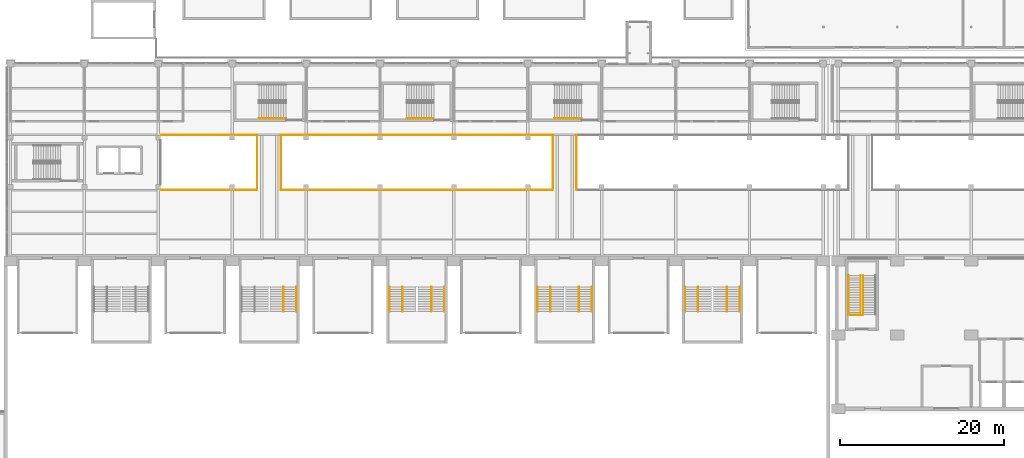
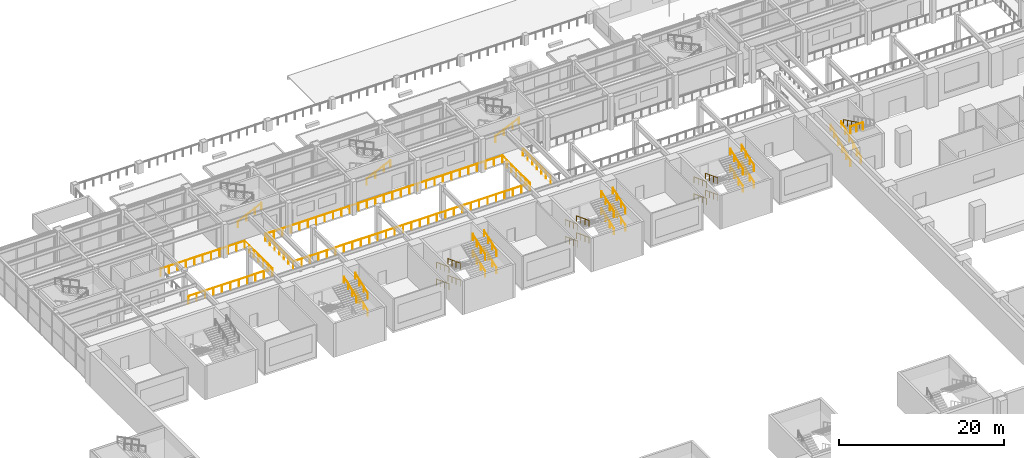
# One storey, part 57 of 67: 42 railings.
"""IFC4 building model written with IfcOpenShell, lengths in metres."""

from ifc_helpers import new_model, si_unit, direction, frame, origin, origin_2d, place, context, subcontext, project, spatial, circle, extrude, material, type_object, element, save


model = new_model("IFC4")

# Units and contexts
model_context = context("Model", 3, precision=1e-05, world=origin(), true_north=direction((0.0, 1.0)))
body_context = subcontext(model_context, "Body", "Model", "MODEL_VIEW")
ifc_project = project(units=[si_unit("LENGTHUNIT", "METRE"), si_unit("AREAUNIT", "SQUARE_METRE"), si_unit("VOLUMEUNIT", "CUBIC_METRE"), si_unit("PLANEANGLEUNIT", "RADIAN"), si_unit("MASSUNIT", "GRAM", prefix="KILO")], contexts=[model_context])

# Site, building, storey
site_placement = place(None, origin())
site = spatial("IfcSite", under=ifc_project, at=site_placement, CompositionType="ELEMENT")
building_placement = place(site_placement, origin())
building = spatial("IfcBuilding", under=site, at=building_placement, Name="Aravalli Gate Trade Fair Centre", CompositionType="ELEMENT")
storey_placement = place(building_placement, frame((0.0, 0.0, 5.0)))
storey = spatial("IfcBuildingStorey", under=building, at=storey_placement, Name="L01", CompositionType="ELEMENT", Elevation=5.0)

# Railings
ifc_material = material(Name="Steel E350", Category="steel")
railing_type_1 = type_object("IfcRailingType", Name="Concourse guard 1100", PredefinedType="GUARDRAIL", material=ifc_material)
railing_1_placement = place(storey_placement, frame((24.300048828125, 117.64990234375, 0.0)))
element("IfcRailing", 1, at=railing_1_placement, inside=storey, type_object=railing_type_1, Name="Atrium guard S1 L01", PredefinedType="GUARDRAIL", context=body_context, shape_type="SweptSolid", body=[
    extrude(circle(Radius=0.02392578125, at=origin_2d()), frame((0.0, 0.0, 1.076171875), z_axis=(1.0, 0.0, 0.0), x_axis=(0.0, 1.0, 0.0)), (0.0, 0.0, 1.0), 11.75),
    extrude(circle(Radius=0.02099609375, at=origin_2d()), origin(), (0.0, 0.0, 1.0), 1.052001953125),
    extrude(circle(Radius=0.02099609375, at=origin_2d()), frame((1.175048828125, 0.0, 0.0)), (0.0, 0.0, 1.0), 1.052001953125),
    extrude(circle(Radius=0.02099609375, at=origin_2d()), frame((2.35009765625, 0.0, 0.0)), (0.0, 0.0, 1.0), 1.052001953125),
    extrude(circle(Radius=0.02099609375, at=origin_2d()), frame((3.52490234375, 0.0, 0.0)), (0.0, 0.0, 1.0), 1.052001953125),
    extrude(circle(Radius=0.02099609375, at=origin_2d()), frame((4.699951171875, 0.0, 0.0)), (0.0, 0.0, 1.0), 1.052001953125),
    extrude(circle(Radius=0.02099609375, at=origin_2d()), frame((5.875, 0.0, 0.0)), (0.0, 0.0, 1.0), 1.052001953125),
    extrude(circle(Radius=0.02099609375, at=origin_2d()), frame((7.050048828125, 0.0, 0.0)), (0.0, 0.0, 1.0), 1.052001953125),
    extrude(circle(Radius=0.02099609375, at=origin_2d()), frame((8.22509765625, 0.0, 0.0)), (0.0, 0.0, 1.0), 1.052001953125),
    extrude(circle(Radius=0.02099609375, at=origin_2d()), frame((9.39990234375, 0.0, 0.0)), (0.0, 0.0, 1.0), 1.052001953125),
    extrude(circle(Radius=0.02099609375, at=origin_2d()), frame((10.574951171875, 0.0, 0.0)), (0.0, 0.0, 1.0), 1.052001953125),
    extrude(circle(Radius=0.02099609375, at=origin_2d()), frame((11.75, 0.0, 0.0)), (0.0, 0.0, 1.0), 1.052001953125),
])
railing_2_placement = place(storey_placement, frame((38.949951171875, 117.64990234375, 0.0)))
element("IfcRailing", 2, at=railing_2_placement, inside=storey, type_object=railing_type_1, Name="Atrium guard S2 L01", PredefinedType="GUARDRAIL", context=body_context, shape_type="SweptSolid", body=[
    extrude(circle(Radius=0.02392578125, at=origin_2d()), frame((0.0, 0.0, 1.076171875), z_axis=(1.0, 0.0, 0.0), x_axis=(0.0, 1.0, 0.0)), (0.0, 0.0, 1.0), 33.10009765625),
    extrude(circle(Radius=0.02099609375, at=origin_2d()), origin(), (0.0, 0.0, 1.0), 1.052001953125),
    extrude(circle(Radius=0.02099609375, at=origin_2d()), frame((1.18212890625, 0.0, 0.0)), (0.0, 0.0, 1.0), 1.052001953125),
    extrude(circle(Radius=0.02099609375, at=origin_2d()), frame((2.3642578125, 0.0, 0.0)), (0.0, 0.0, 1.0), 1.052001953125),
    extrude(circle(Radius=0.02099609375, at=origin_2d()), frame((3.54638671875, 0.0, 0.0)), (0.0, 0.0, 1.0), 1.052001953125),
    extrude(circle(Radius=0.02099609375, at=origin_2d()), frame((4.728515625, 0.0, 0.0)), (0.0, 0.0, 1.0), 1.052001953125),
    extrude(circle(Radius=0.02099609375, at=origin_2d()), frame((5.91064453125, 0.0, 0.0)), (0.0, 0.0, 1.0), 1.052001953125),
    extrude(circle(Radius=0.02099609375, at=origin_2d()), frame((7.0927734375, 0.0, 0.0)), (0.0, 0.0, 1.0), 1.052001953125),
    extrude(circle(Radius=0.02099609375, at=origin_2d()), frame((8.27490234375, 0.0, 0.0)), (0.0, 0.0, 1.0), 1.052001953125),
    extrude(circle(Radius=0.02099609375, at=origin_2d()), frame((9.457275390625, 0.0, 0.0)), (0.0, 0.0, 1.0), 1.052001953125),
    extrude(circle(Radius=0.02099609375, at=origin_2d()), frame((10.639404296875, 0.0, 0.0)), (0.0, 0.0, 1.0), 1.052001953125),
    extrude(circle(Radius=0.02099609375, at=origin_2d()), frame((11.821533203125, 0.0, 0.0)), (0.0, 0.0, 1.0), 1.052001953125),
    extrude(circle(Radius=0.02099609375, at=origin_2d()), frame((13.003662109375, 0.0, 0.0)), (0.0, 0.0, 1.0), 1.052001953125),
    extrude(circle(Radius=0.02099609375, at=origin_2d()), frame((14.185791015625, 0.0, 0.0)), (0.0, 0.0, 1.0), 1.052001953125),
    extrude(circle(Radius=0.02099609375, at=origin_2d()), frame((15.367919921875, 0.0, 0.0)), (0.0, 0.0, 1.0), 1.052001953125),
    extrude(circle(Radius=0.02099609375, at=origin_2d()), frame((16.550048828125, 0.0, 0.0)), (0.0, 0.0, 1.0), 1.052001953125),
    extrude(circle(Radius=0.02099609375, at=origin_2d()), frame((17.732177734375, 0.0, 0.0)), (0.0, 0.0, 1.0), 1.052001953125),
    extrude(circle(Radius=0.02099609375, at=origin_2d()), frame((18.914306640625, 0.0, 0.0)), (0.0, 0.0, 1.0), 1.052001953125),
    extrude(circle(Radius=0.02099609375, at=origin_2d()), frame((20.096435546875, 0.0, 0.0)), (0.0, 0.0, 1.0), 1.052001953125),
    extrude(circle(Radius=0.02099609375, at=origin_2d()), frame((21.278564453125, 0.0, 0.0)), (0.0, 0.0, 1.0), 1.052001953125),
    extrude(circle(Radius=0.02099609375, at=origin_2d()), frame((22.460693359375, 0.0, 0.0)), (0.0, 0.0, 1.0), 1.052001953125),
    extrude(circle(Radius=0.02099609375, at=origin_2d()), frame((23.642822265625, 0.0, 0.0)), (0.0, 0.0, 1.0), 1.052001953125),
    extrude(circle(Radius=0.02099609375, at=origin_2d()), frame((24.8251953125, 0.0, 0.0)), (0.0, 0.0, 1.0), 1.052001953125),
    extrude(circle(Radius=0.02099609375, at=origin_2d()), frame((26.00732421875, 0.0, 0.0)), (0.0, 0.0, 1.0), 1.052001953125),
    extrude(circle(Radius=0.02099609375, at=origin_2d()), frame((27.189453125, 0.0, 0.0)), (0.0, 0.0, 1.0), 1.052001953125),
    extrude(circle(Radius=0.02099609375, at=origin_2d()), frame((28.37158203125, 0.0, 0.0)), (0.0, 0.0, 1.0), 1.052001953125),
    extrude(circle(Radius=0.02099609375, at=origin_2d()), frame((29.5537109375, 0.0, 0.0)), (0.0, 0.0, 1.0), 1.052001953125),
    extrude(circle(Radius=0.02099609375, at=origin_2d()), frame((30.73583984375, 0.0, 0.0)), (0.0, 0.0, 1.0), 1.052001953125),
    extrude(circle(Radius=0.02099609375, at=origin_2d()), frame((31.91796875, 0.0, 0.0)), (0.0, 0.0, 1.0), 1.052001953125),
    extrude(circle(Radius=0.02099609375, at=origin_2d()), frame((33.10009765625, 0.0, 0.0)), (0.0, 0.0, 1.0), 1.052001953125),
])
railing_3_placement = place(storey_placement, frame((24.300048828125, 124.35009765625, 0.0)))
element("IfcRailing", 3, at=railing_3_placement, inside=storey, type_object=railing_type_1, Name="Atrium guard N1 L01", PredefinedType="GUARDRAIL", context=body_context, shape_type="SweptSolid", body=[
    extrude(circle(Radius=0.02392578125, at=origin_2d()), frame((0.0, 0.0, 1.076171875), z_axis=(1.0, 0.0, 0.0), x_axis=(0.0, 1.0, 0.0)), (0.0, 0.0, 1.0), 11.75),
    extrude(circle(Radius=0.02099609375, at=origin_2d()), origin(), (0.0, 0.0, 1.0), 1.052001953125),
    extrude(circle(Radius=0.02099609375, at=origin_2d()), frame((1.175048828125, 0.0, 0.0)), (0.0, 0.0, 1.0), 1.052001953125),
    extrude(circle(Radius=0.02099609375, at=origin_2d()), frame((2.35009765625, 0.0, 0.0)), (0.0, 0.0, 1.0), 1.052001953125),
    extrude(circle(Radius=0.02099609375, at=origin_2d()), frame((3.52490234375, 0.0, 0.0)), (0.0, 0.0, 1.0), 1.052001953125),
    extrude(circle(Radius=0.02099609375, at=origin_2d()), frame((4.699951171875, 0.0, 0.0)), (0.0, 0.0, 1.0), 1.052001953125),
    extrude(circle(Radius=0.02099609375, at=origin_2d()), frame((5.875, 0.0, 0.0)), (0.0, 0.0, 1.0), 1.052001953125),
    extrude(circle(Radius=0.02099609375, at=origin_2d()), frame((7.050048828125, 0.0, 0.0)), (0.0, 0.0, 1.0), 1.052001953125),
    extrude(circle(Radius=0.02099609375, at=origin_2d()), frame((8.22509765625, 0.0, 0.0)), (0.0, 0.0, 1.0), 1.052001953125),
    extrude(circle(Radius=0.02099609375, at=origin_2d()), frame((9.39990234375, 0.0, 0.0)), (0.0, 0.0, 1.0), 1.052001953125),
    extrude(circle(Radius=0.02099609375, at=origin_2d()), frame((10.574951171875, 0.0, 0.0)), (0.0, 0.0, 1.0), 1.052001953125),
    extrude(circle(Radius=0.02099609375, at=origin_2d()), frame((11.75, 0.0, 0.0)), (0.0, 0.0, 1.0), 1.052001953125),
])
railing_4_placement = place(storey_placement, frame((38.949951171875, 124.35009765625, 0.0)))
element("IfcRailing", 4, at=railing_4_placement, inside=storey, type_object=railing_type_1, Name="Atrium guard N2 L01", PredefinedType="GUARDRAIL", context=body_context, shape_type="SweptSolid", body=[
    extrude(circle(Radius=0.02392578125, at=origin_2d()), frame((0.0, 0.0, 1.076171875), z_axis=(1.0, 0.0, 0.0), x_axis=(0.0, 1.0, 0.0)), (0.0, 0.0, 1.0), 33.10009765625),
    extrude(circle(Radius=0.02099609375, at=origin_2d()), origin(), (0.0, 0.0, 1.0), 1.052001953125),
    extrude(circle(Radius=0.02099609375, at=origin_2d()), frame((1.18212890625, 0.0, 0.0)), (0.0, 0.0, 1.0), 1.052001953125),
    extrude(circle(Radius=0.02099609375, at=origin_2d()), frame((2.3642578125, 0.0, 0.0)), (0.0, 0.0, 1.0), 1.052001953125),
    extrude(circle(Radius=0.02099609375, at=origin_2d()), frame((3.54638671875, 0.0, 0.0)), (0.0, 0.0, 1.0), 1.052001953125),
    extrude(circle(Radius=0.02099609375, at=origin_2d()), frame((4.728515625, 0.0, 0.0)), (0.0, 0.0, 1.0), 1.052001953125),
    extrude(circle(Radius=0.02099609375, at=origin_2d()), frame((5.91064453125, 0.0, 0.0)), (0.0, 0.0, 1.0), 1.052001953125),
    extrude(circle(Radius=0.02099609375, at=origin_2d()), frame((7.0927734375, 0.0, 0.0)), (0.0, 0.0, 1.0), 1.052001953125),
    extrude(circle(Radius=0.02099609375, at=origin_2d()), frame((8.27490234375, 0.0, 0.0)), (0.0, 0.0, 1.0), 1.052001953125),
    extrude(circle(Radius=0.02099609375, at=origin_2d()), frame((9.457275390625, 0.0, 0.0)), (0.0, 0.0, 1.0), 1.052001953125),
    extrude(circle(Radius=0.02099609375, at=origin_2d()), frame((10.639404296875, 0.0, 0.0)), (0.0, 0.0, 1.0), 1.052001953125),
    extrude(circle(Radius=0.02099609375, at=origin_2d()), frame((11.821533203125, 0.0, 0.0)), (0.0, 0.0, 1.0), 1.052001953125),
    extrude(circle(Radius=0.02099609375, at=origin_2d()), frame((13.003662109375, 0.0, 0.0)), (0.0, 0.0, 1.0), 1.052001953125),
    extrude(circle(Radius=0.02099609375, at=origin_2d()), frame((14.185791015625, 0.0, 0.0)), (0.0, 0.0, 1.0), 1.052001953125),
    extrude(circle(Radius=0.02099609375, at=origin_2d()), frame((15.367919921875, 0.0, 0.0)), (0.0, 0.0, 1.0), 1.052001953125),
    extrude(circle(Radius=0.02099609375, at=origin_2d()), frame((16.550048828125, 0.0, 0.0)), (0.0, 0.0, 1.0), 1.052001953125),
    extrude(circle(Radius=0.02099609375, at=origin_2d()), frame((17.732177734375, 0.0, 0.0)), (0.0, 0.0, 1.0), 1.052001953125),
    extrude(circle(Radius=0.02099609375, at=origin_2d()), frame((18.914306640625, 0.0, 0.0)), (0.0, 0.0, 1.0), 1.052001953125),
    extrude(circle(Radius=0.02099609375, at=origin_2d()), frame((20.096435546875, 0.0, 0.0)), (0.0, 0.0, 1.0), 1.052001953125),
    extrude(circle(Radius=0.02099609375, at=origin_2d()), frame((21.278564453125, 0.0, 0.0)), (0.0, 0.0, 1.0), 1.052001953125),
    extrude(circle(Radius=0.02099609375, at=origin_2d()), frame((22.460693359375, 0.0, 0.0)), (0.0, 0.0, 1.0), 1.052001953125),
    extrude(circle(Radius=0.02099609375, at=origin_2d()), frame((23.642822265625, 0.0, 0.0)), (0.0, 0.0, 1.0), 1.052001953125),
    extrude(circle(Radius=0.02099609375, at=origin_2d()), frame((24.8251953125, 0.0, 0.0)), (0.0, 0.0, 1.0), 1.052001953125),
    extrude(circle(Radius=0.02099609375, at=origin_2d()), frame((26.00732421875, 0.0, 0.0)), (0.0, 0.0, 1.0), 1.052001953125),
    extrude(circle(Radius=0.02099609375, at=origin_2d()), frame((27.189453125, 0.0, 0.0)), (0.0, 0.0, 1.0), 1.052001953125),
    extrude(circle(Radius=0.02099609375, at=origin_2d()), frame((28.37158203125, 0.0, 0.0)), (0.0, 0.0, 1.0), 1.052001953125),
    extrude(circle(Radius=0.02099609375, at=origin_2d()), frame((29.5537109375, 0.0, 0.0)), (0.0, 0.0, 1.0), 1.052001953125),
    extrude(circle(Radius=0.02099609375, at=origin_2d()), frame((30.73583984375, 0.0, 0.0)), (0.0, 0.0, 1.0), 1.052001953125),
    extrude(circle(Radius=0.02099609375, at=origin_2d()), frame((31.91796875, 0.0, 0.0)), (0.0, 0.0, 1.0), 1.052001953125),
    extrude(circle(Radius=0.02099609375, at=origin_2d()), frame((33.10009765625, 0.0, 0.0)), (0.0, 0.0, 1.0), 1.052001953125),
])
for number, where, name in (
    (5, (36.050048828125, 117.64990234375, 0.0), "Atrium guard BA1 L01"),
    (6, (38.949951171875, 117.64990234375, 0.0), "Atrium guard BB1 L01"),
    (7, (72.050048828125, 117.64990234375, 0.0), "Atrium guard BA2 L01"),
    (8, (74.949951171875, 117.64990234375, 0.0), "Atrium guard BB2 L01"),
):
    element("IfcRailing", number, at=place(storey_placement, frame(where)), inside=storey, type_object=railing_type_1, Name=name, PredefinedType="GUARDRAIL", context=body_context, shape_type="SweptSolid", body=[
        extrude(circle(Radius=0.02392578125, at=origin_2d()), frame((0.0, 0.0, 1.076171875), z_axis=(0.0, 1.0, 0.0), x_axis=(-1.0, 0.0, 0.0)), (0.0, 0.0, 1.0), 6.7001953125),
        extrude(circle(Radius=0.02099609375, at=origin_2d()), origin(), (0.0, 0.0, 1.0), 1.052001953125),
        extrude(circle(Radius=0.02099609375, at=origin_2d()), frame((0.0, 1.11669921875, 0.0)), (0.0, 0.0, 1.0), 1.052001953125),
        extrude(circle(Radius=0.02099609375, at=origin_2d()), frame((0.0, 2.2333984375, 0.0)), (0.0, 0.0, 1.0), 1.052001953125),
        extrude(circle(Radius=0.02099609375, at=origin_2d()), frame((0.0, 3.35009765625, 0.0)), (0.0, 0.0, 1.0), 1.052001953125),
        extrude(circle(Radius=0.02099609375, at=origin_2d()), frame((0.0, 4.466796875, 0.0)), (0.0, 0.0, 1.0), 1.052001953125),
        extrude(circle(Radius=0.02099609375, at=origin_2d()), frame((0.0, 5.58349609375, 0.0)), (0.0, 0.0, 1.0), 1.052001953125),
        extrude(circle(Radius=0.02099609375, at=origin_2d()), frame((0.0, 6.7001953125, 0.0)), (0.0, 0.0, 1.0), 1.052001953125),
    ])
railing_type_2 = type_object("IfcRailingType", Name="Concourse stair handrail 900", PredefinedType="HANDRAIL", material=ifc_material)
for number, where, name in (
    (9, (36.25, 126.35009765625, 1.8056640625), "Handrail XA L01 flight 2o"),
    (10, (54.25, 126.35009765625, 1.8056640625), "Handrail XB L01 flight 2o"),
    (11, (72.25, 126.35009765625, 1.8056640625), "Handrail XC L01 flight 2o"),
):
    element("IfcRailing", number, at=place(storey_placement, frame(where)), inside=storey, type_object=railing_type_2, Name=name, PredefinedType="HANDRAIL", context=body_context, shape_type="SweptSolid", body=[
        extrude(circle(Radius=0.02392578125, at=origin_2d()), frame((0.0, 0.0, 0.8759765625), z_axis=(0.907499493834, 0.0, 0.420053173647), x_axis=(0.0, 1.0, 0.0)), (0.0, 0.0, 1.0), 1.322265625),
        extrude(circle(Radius=0.02392578125, at=origin_2d()), frame((1.199951171875, 0.0, 1.43115234375), z_axis=(0.907429102623, 0.0, 0.420205216189), x_axis=(0.0, 1.0, 0.0)), (0.0, 0.0, 1.0), 1.322265625),
        extrude(circle(Radius=0.02392578125, at=origin_2d()), frame((2.39990234375, 0.0, 1.98681640625), z_axis=(0.907555517655, 0.0, 0.419932116387), x_axis=(0.0, 1.0, 0.0)), (0.0, 0.0, 1.0), 0.991943359375),
        extrude(circle(Radius=0.02099609375, at=origin_2d()), origin(), (0.0, 0.0, 1.0), 0.851806640625),
        extrude(circle(Radius=0.02099609375, at=origin_2d()), frame((1.199951171875, 0.0, 0.555419921875)), (0.0, 0.0, 1.0), 0.851806640625),
        extrude(circle(Radius=0.02099609375, at=origin_2d()), frame((2.39990234375, 0.0, 1.111083984375)), (0.0, 0.0, 1.0), 0.851806640625),
        extrude(circle(Radius=0.02099609375, at=origin_2d()), frame((3.300048828125, 0.0, 1.527587890625)), (0.0, 0.0, 1.0), 0.851806640625),
    ])
railing_type_3 = type_object("IfcRailingType", Name="Congress stair guard 1100", PredefinedType="GUARDRAIL", material=ifc_material)
railing_5_placement = place(storey_placement, frame((108.030029296875, 102.39990234375, 5.0)))
element("IfcRailing", 12, at=railing_5_placement, inside=storey, type_object=railing_type_3, Name="Guard GS3 head", PredefinedType="GUARDRAIL", context=body_context, shape_type="SweptSolid", body=[
    extrude(circle(Radius=0.02392578125, at=origin_2d()), frame((0.0, 0.0, 1.076171875), z_axis=(1.0, 0.0, 0.0), x_axis=(0.0, 1.0, 0.0)), (0.0, 0.0, 1.0), 1.739990234375),
    extrude(circle(Radius=0.02099609375, at=origin_2d()), origin(), (0.0, 0.0, 1.0), 1.052001953125),
    extrude(circle(Radius=0.02099609375, at=origin_2d()), frame((0.8701171875, 0.0, 0.0)), (0.0, 0.0, 1.0), 1.052001953125),
    extrude(circle(Radius=0.02099609375, at=origin_2d()), frame((1.739990234375, 0.0, 0.0)), (0.0, 0.0, 1.0), 1.052001953125),
])
railing_type_4 = type_object("IfcRailingType", Name="Congress stair handrail 900", PredefinedType="HANDRAIL", material=ifc_material)
for number, where, name in (
    (13, (108.070068359375, 102.449951171875, 0.147216796875), "Handrail GS3 L01 1"),
    (14, (109.550048828125, 102.449951171875, 0.147216796875), "Handrail GS3 L01 2"),
):
    element("IfcRailing", number, at=place(storey_placement, frame(where)), inside=storey, type_object=railing_type_4, Name=name, PredefinedType="HANDRAIL", context=body_context, shape_type="SweptSolid", body=[
        extrude(circle(Radius=0.02392578125, at=origin_2d()), frame((0.0, 0.0, 0.8759765625), z_axis=(0.0, 0.89793417156, 0.440129780343), x_axis=(-1.0, 0.0, 0.0)), (0.0, 0.0, 1.0), 5.345703125),
        extrude(circle(Radius=0.02099609375, at=origin_2d()), origin(), (0.0, 0.0, 1.0), 0.851806640625),
        extrude(circle(Radius=0.02099609375, at=origin_2d()), frame((0.0, 0.9599609375, 0.470458984375)), (0.0, 0.0, 1.0), 0.851806640625),
        extrude(circle(Radius=0.02099609375, at=origin_2d()), frame((0.0, 1.919921875, 0.941162109375)), (0.0, 0.0, 1.0), 0.851806640625),
        extrude(circle(Radius=0.02099609375, at=origin_2d()), frame((0.0, 2.880126953125, 1.41162109375)), (0.0, 0.0, 1.0), 0.851806640625),
        extrude(circle(Radius=0.02099609375, at=origin_2d()), frame((0.0, 3.840087890625, 1.88232421875)), (0.0, 0.0, 1.0), 0.851806640625),
        extrude(circle(Radius=0.02099609375, at=origin_2d()), frame((0.0, 4.800048828125, 2.352783203125)), (0.0, 0.0, 1.0), 0.851806640625),
    ])
railing_6_placement = place(storey_placement, frame((109.85009765625, 107.25, 2.647216796875)))
element("IfcRailing", 15, at=railing_6_placement, inside=storey, type_object=railing_type_4, Name="Handrail GS3 L01 4", PredefinedType="HANDRAIL", context=body_context, shape_type="SweptSolid", body=[
    extrude(circle(Radius=0.02392578125, at=origin_2d()), frame((0.0, 0.0, 0.8759765625), z_axis=(0.0, -0.89793417156, 0.440129780343), x_axis=(1.0, 0.0, 0.0)), (0.0, 0.0, 1.0), 5.345703125),
    extrude(circle(Radius=0.02099609375, at=origin_2d()), origin(), (0.0, 0.0, 1.0), 0.851806640625),
    extrude(circle(Radius=0.02099609375, at=origin_2d()), frame((0.0, -0.9599609375, 0.470458984375)), (0.0, 0.0, 1.0), 0.851806640625),
    extrude(circle(Radius=0.02099609375, at=origin_2d()), frame((0.0, -1.919921875, 0.941162109375)), (0.0, 0.0, 1.0), 0.851806640625),
    extrude(circle(Radius=0.02099609375, at=origin_2d()), frame((0.0, -2.880126953125, 1.41162109375)), (0.0, 0.0, 1.0), 0.851806640625),
    extrude(circle(Radius=0.02099609375, at=origin_2d()), frame((0.0, -3.840087890625, 1.88232421875)), (0.0, 0.0, 1.0), 0.851806640625),
    extrude(circle(Radius=0.02099609375, at=origin_2d()), frame((0.0, -4.800048828125, 2.352783203125)), (0.0, 0.0, 1.0), 0.851806640625),
])
railing_type_5 = type_object("IfcRailingType", Name="Stair handrail 900", PredefinedType="HANDRAIL", material=ifc_material)
for number, where, name in (
    (16, (40.830078125, 102.85009765625, 1.363525390625), "Handrail N04 L01 3"),
    (17, (40.830078125, 102.85009765625, 3.863525390625), "Handrail N04 L01 7"),
    (18, (39.25, 102.85009765625, 3.863525390625), "Handrail centre N04 L01 8"),
):
    element("IfcRailing", number, at=place(storey_placement, frame(where)), inside=storey, type_object=railing_type_5, Name=name, PredefinedType="HANDRAIL", context=body_context, shape_type="SweptSolid", body=[
        extrude(circle(Radius=0.02392578125, at=origin_2d()), frame((0.0, 0.0, 0.8759765625), z_axis=(0.0, 0.935147985876, 0.354257313985), x_axis=(-1.0, 0.0, 0.0)), (0.0, 0.0, 1.0), 3.2080078125),
        extrude(circle(Radius=0.02099609375, at=origin_2d()), origin(), (0.0, 0.0, 1.0), 0.851806640625),
        extrude(circle(Radius=0.02099609375, at=origin_2d()), frame((0.0, 1.0, 0.37890625)), (0.0, 0.0, 1.0), 0.851806640625),
        extrude(circle(Radius=0.02099609375, at=origin_2d()), frame((0.0, 2.0, 0.757568359375)), (0.0, 0.0, 1.0), 0.851806640625),
        extrude(circle(Radius=0.02099609375, at=origin_2d()), frame((0.0, 3.0, 1.136474609375)), (0.0, 0.0, 1.0), 0.851806640625),
    ])
for number, where, name in (
    (19, (52.169921875, 105.85009765625, 0.113525390625), "Handrail N06 L01 1"),
    (20, (53.75, 105.85009765625, 0.113525390625), "Handrail centre N06 L01 2"),
):
    element("IfcRailing", number, at=place(storey_placement, frame(where)), inside=storey, type_object=railing_type_5, Name=name, PredefinedType="HANDRAIL", context=body_context, shape_type="SweptSolid", body=[
        extrude(circle(Radius=0.02392578125, at=origin_2d()), frame((0.0, 0.0, 0.8759765625), z_axis=(0.0, -0.935147985876, 0.354257313985), x_axis=(1.0, 0.0, 0.0)), (0.0, 0.0, 1.0), 3.2080078125),
        extrude(circle(Radius=0.02099609375, at=origin_2d()), origin(), (0.0, 0.0, 1.0), 0.851806640625),
        extrude(circle(Radius=0.02099609375, at=origin_2d()), frame((0.0, -1.0, 0.37890625)), (0.0, 0.0, 1.0), 0.851806640625),
        extrude(circle(Radius=0.02099609375, at=origin_2d()), frame((0.0, -2.0, 0.757568359375)), (0.0, 0.0, 1.0), 0.851806640625),
        extrude(circle(Radius=0.02099609375, at=origin_2d()), frame((0.0, -3.0, 1.136474609375)), (0.0, 0.0, 1.0), 0.851806640625),
    ])
for number, where, name in (
    (21, (58.830078125, 102.85009765625, 1.363525390625), "Handrail N06 L01 3"),
    (22, (57.25, 102.85009765625, 1.363525390625), "Handrail centre N06 L01 4"),
):
    element("IfcRailing", number, at=place(storey_placement, frame(where)), inside=storey, type_object=railing_type_5, Name=name, PredefinedType="HANDRAIL", context=body_context, shape_type="SweptSolid", body=[
        extrude(circle(Radius=0.02392578125, at=origin_2d()), frame((0.0, 0.0, 0.8759765625), z_axis=(0.0, 0.935147985876, 0.354257313985), x_axis=(-1.0, 0.0, 0.0)), (0.0, 0.0, 1.0), 3.2080078125),
        extrude(circle(Radius=0.02099609375, at=origin_2d()), origin(), (0.0, 0.0, 1.0), 0.851806640625),
        extrude(circle(Radius=0.02099609375, at=origin_2d()), frame((0.0, 1.0, 0.37890625)), (0.0, 0.0, 1.0), 0.851806640625),
        extrude(circle(Radius=0.02099609375, at=origin_2d()), frame((0.0, 2.0, 0.757568359375)), (0.0, 0.0, 1.0), 0.851806640625),
        extrude(circle(Radius=0.02099609375, at=origin_2d()), frame((0.0, 3.0, 1.136474609375)), (0.0, 0.0, 1.0), 0.851806640625),
    ])
for number, where, name in (
    (23, (52.169921875, 105.85009765625, 2.613525390625), "Handrail N06 L01 5"),
    (24, (53.75, 105.85009765625, 2.613525390625), "Handrail centre N06 L01 6"),
):
    element("IfcRailing", number, at=place(storey_placement, frame(where)), inside=storey, type_object=railing_type_5, Name=name, PredefinedType="HANDRAIL", context=body_context, shape_type="SweptSolid", body=[
        extrude(circle(Radius=0.02392578125, at=origin_2d()), frame((0.0, 0.0, 0.8759765625), z_axis=(0.0, -0.935147985876, 0.354257313985), x_axis=(1.0, 0.0, 0.0)), (0.0, 0.0, 1.0), 3.2080078125),
        extrude(circle(Radius=0.02099609375, at=origin_2d()), origin(), (0.0, 0.0, 1.0), 0.851806640625),
        extrude(circle(Radius=0.02099609375, at=origin_2d()), frame((0.0, -1.0, 0.37890625)), (0.0, 0.0, 1.0), 0.851806640625),
        extrude(circle(Radius=0.02099609375, at=origin_2d()), frame((0.0, -2.0, 0.757568359375)), (0.0, 0.0, 1.0), 0.851806640625),
        extrude(circle(Radius=0.02099609375, at=origin_2d()), frame((0.0, -3.0, 1.136474609375)), (0.0, 0.0, 1.0), 0.851806640625),
    ])
for number, where, name in (
    (25, (58.830078125, 102.85009765625, 3.863525390625), "Handrail N06 L01 7"),
    (26, (57.25, 102.85009765625, 3.863525390625), "Handrail centre N06 L01 8"),
):
    element("IfcRailing", number, at=place(storey_placement, frame(where)), inside=storey, type_object=railing_type_5, Name=name, PredefinedType="HANDRAIL", context=body_context, shape_type="SweptSolid", body=[
        extrude(circle(Radius=0.02392578125, at=origin_2d()), frame((0.0, 0.0, 0.8759765625), z_axis=(0.0, 0.935147985876, 0.354257313985), x_axis=(-1.0, 0.0, 0.0)), (0.0, 0.0, 1.0), 3.2080078125),
        extrude(circle(Radius=0.02099609375, at=origin_2d()), origin(), (0.0, 0.0, 1.0), 0.851806640625),
        extrude(circle(Radius=0.02099609375, at=origin_2d()), frame((0.0, 1.0, 0.37890625)), (0.0, 0.0, 1.0), 0.851806640625),
        extrude(circle(Radius=0.02099609375, at=origin_2d()), frame((0.0, 2.0, 0.757568359375)), (0.0, 0.0, 1.0), 0.851806640625),
        extrude(circle(Radius=0.02099609375, at=origin_2d()), frame((0.0, 3.0, 1.136474609375)), (0.0, 0.0, 1.0), 0.851806640625),
    ])
for number, where, name in (
    (27, (70.169921875, 105.85009765625, 0.113525390625), "Handrail N08 L01 1"),
    (28, (71.75, 105.85009765625, 0.113525390625), "Handrail centre N08 L01 2"),
):
    element("IfcRailing", number, at=place(storey_placement, frame(where)), inside=storey, type_object=railing_type_5, Name=name, PredefinedType="HANDRAIL", context=body_context, shape_type="SweptSolid", body=[
        extrude(circle(Radius=0.02392578125, at=origin_2d()), frame((0.0, 0.0, 0.8759765625), z_axis=(0.0, -0.935147985876, 0.354257313985), x_axis=(1.0, 0.0, 0.0)), (0.0, 0.0, 1.0), 3.2080078125),
        extrude(circle(Radius=0.02099609375, at=origin_2d()), origin(), (0.0, 0.0, 1.0), 0.851806640625),
        extrude(circle(Radius=0.02099609375, at=origin_2d()), frame((0.0, -1.0, 0.37890625)), (0.0, 0.0, 1.0), 0.851806640625),
        extrude(circle(Radius=0.02099609375, at=origin_2d()), frame((0.0, -2.0, 0.757568359375)), (0.0, 0.0, 1.0), 0.851806640625),
        extrude(circle(Radius=0.02099609375, at=origin_2d()), frame((0.0, -3.0, 1.136474609375)), (0.0, 0.0, 1.0), 0.851806640625),
    ])
for number, where, name in (
    (29, (76.830078125, 102.85009765625, 1.363525390625), "Handrail N08 L01 3"),
    (30, (75.25, 102.85009765625, 1.363525390625), "Handrail centre N08 L01 4"),
):
    element("IfcRailing", number, at=place(storey_placement, frame(where)), inside=storey, type_object=railing_type_5, Name=name, PredefinedType="HANDRAIL", context=body_context, shape_type="SweptSolid", body=[
        extrude(circle(Radius=0.02392578125, at=origin_2d()), frame((0.0, 0.0, 0.8759765625), z_axis=(0.0, 0.935147985876, 0.354257313985), x_axis=(-1.0, 0.0, 0.0)), (0.0, 0.0, 1.0), 3.2080078125),
        extrude(circle(Radius=0.02099609375, at=origin_2d()), origin(), (0.0, 0.0, 1.0), 0.851806640625),
        extrude(circle(Radius=0.02099609375, at=origin_2d()), frame((0.0, 1.0, 0.37890625)), (0.0, 0.0, 1.0), 0.851806640625),
        extrude(circle(Radius=0.02099609375, at=origin_2d()), frame((0.0, 2.0, 0.757568359375)), (0.0, 0.0, 1.0), 0.851806640625),
        extrude(circle(Radius=0.02099609375, at=origin_2d()), frame((0.0, 3.0, 1.136474609375)), (0.0, 0.0, 1.0), 0.851806640625),
    ])
for number, where, name in (
    (31, (70.169921875, 105.85009765625, 2.613525390625), "Handrail N08 L01 5"),
    (32, (71.75, 105.85009765625, 2.613525390625), "Handrail centre N08 L01 6"),
):
    element("IfcRailing", number, at=place(storey_placement, frame(where)), inside=storey, type_object=railing_type_5, Name=name, PredefinedType="HANDRAIL", context=body_context, shape_type="SweptSolid", body=[
        extrude(circle(Radius=0.02392578125, at=origin_2d()), frame((0.0, 0.0, 0.8759765625), z_axis=(0.0, -0.935147985876, 0.354257313985), x_axis=(1.0, 0.0, 0.0)), (0.0, 0.0, 1.0), 3.2080078125),
        extrude(circle(Radius=0.02099609375, at=origin_2d()), origin(), (0.0, 0.0, 1.0), 0.851806640625),
        extrude(circle(Radius=0.02099609375, at=origin_2d()), frame((0.0, -1.0, 0.37890625)), (0.0, 0.0, 1.0), 0.851806640625),
        extrude(circle(Radius=0.02099609375, at=origin_2d()), frame((0.0, -2.0, 0.757568359375)), (0.0, 0.0, 1.0), 0.851806640625),
        extrude(circle(Radius=0.02099609375, at=origin_2d()), frame((0.0, -3.0, 1.136474609375)), (0.0, 0.0, 1.0), 0.851806640625),
    ])
for number, where, name in (
    (33, (76.830078125, 102.85009765625, 3.863525390625), "Handrail N08 L01 7"),
    (34, (75.25, 102.85009765625, 3.863525390625), "Handrail centre N08 L01 8"),
):
    element("IfcRailing", number, at=place(storey_placement, frame(where)), inside=storey, type_object=railing_type_5, Name=name, PredefinedType="HANDRAIL", context=body_context, shape_type="SweptSolid", body=[
        extrude(circle(Radius=0.02392578125, at=origin_2d()), frame((0.0, 0.0, 0.8759765625), z_axis=(0.0, 0.935147985876, 0.354257313985), x_axis=(-1.0, 0.0, 0.0)), (0.0, 0.0, 1.0), 3.2080078125),
        extrude(circle(Radius=0.02099609375, at=origin_2d()), origin(), (0.0, 0.0, 1.0), 0.851806640625),
        extrude(circle(Radius=0.02099609375, at=origin_2d()), frame((0.0, 1.0, 0.37890625)), (0.0, 0.0, 1.0), 0.851806640625),
        extrude(circle(Radius=0.02099609375, at=origin_2d()), frame((0.0, 2.0, 0.757568359375)), (0.0, 0.0, 1.0), 0.851806640625),
        extrude(circle(Radius=0.02099609375, at=origin_2d()), frame((0.0, 3.0, 1.136474609375)), (0.0, 0.0, 1.0), 0.851806640625),
    ])
for number, where, name in (
    (35, (88.169921875, 105.85009765625, 0.113525390625), "Handrail N10 L01 1"),
    (36, (89.75, 105.85009765625, 0.113525390625), "Handrail centre N10 L01 2"),
):
    element("IfcRailing", number, at=place(storey_placement, frame(where)), inside=storey, type_object=railing_type_5, Name=name, PredefinedType="HANDRAIL", context=body_context, shape_type="SweptSolid", body=[
        extrude(circle(Radius=0.02392578125, at=origin_2d()), frame((0.0, 0.0, 0.8759765625), z_axis=(0.0, -0.935147985876, 0.354257313985), x_axis=(1.0, 0.0, 0.0)), (0.0, 0.0, 1.0), 3.2080078125),
        extrude(circle(Radius=0.02099609375, at=origin_2d()), origin(), (0.0, 0.0, 1.0), 0.851806640625),
        extrude(circle(Radius=0.02099609375, at=origin_2d()), frame((0.0, -1.0, 0.37890625)), (0.0, 0.0, 1.0), 0.851806640625),
        extrude(circle(Radius=0.02099609375, at=origin_2d()), frame((0.0, -2.0, 0.757568359375)), (0.0, 0.0, 1.0), 0.851806640625),
        extrude(circle(Radius=0.02099609375, at=origin_2d()), frame((0.0, -3.0, 1.136474609375)), (0.0, 0.0, 1.0), 0.851806640625),
    ])
for number, where, name in (
    (37, (94.830078125, 102.85009765625, 1.363525390625), "Handrail N10 L01 3"),
    (38, (93.25, 102.85009765625, 1.363525390625), "Handrail centre N10 L01 4"),
):
    element("IfcRailing", number, at=place(storey_placement, frame(where)), inside=storey, type_object=railing_type_5, Name=name, PredefinedType="HANDRAIL", context=body_context, shape_type="SweptSolid", body=[
        extrude(circle(Radius=0.02392578125, at=origin_2d()), frame((0.0, 0.0, 0.8759765625), z_axis=(0.0, 0.935147985876, 0.354257313985), x_axis=(-1.0, 0.0, 0.0)), (0.0, 0.0, 1.0), 3.2080078125),
        extrude(circle(Radius=0.02099609375, at=origin_2d()), origin(), (0.0, 0.0, 1.0), 0.851806640625),
        extrude(circle(Radius=0.02099609375, at=origin_2d()), frame((0.0, 1.0, 0.37890625)), (0.0, 0.0, 1.0), 0.851806640625),
        extrude(circle(Radius=0.02099609375, at=origin_2d()), frame((0.0, 2.0, 0.757568359375)), (0.0, 0.0, 1.0), 0.851806640625),
        extrude(circle(Radius=0.02099609375, at=origin_2d()), frame((0.0, 3.0, 1.136474609375)), (0.0, 0.0, 1.0), 0.851806640625),
    ])
for number, where, name in (
    (39, (88.169921875, 105.85009765625, 2.613525390625), "Handrail N10 L01 5"),
    (40, (89.75, 105.85009765625, 2.613525390625), "Handrail centre N10 L01 6"),
):
    element("IfcRailing", number, at=place(storey_placement, frame(where)), inside=storey, type_object=railing_type_5, Name=name, PredefinedType="HANDRAIL", context=body_context, shape_type="SweptSolid", body=[
        extrude(circle(Radius=0.02392578125, at=origin_2d()), frame((0.0, 0.0, 0.8759765625), z_axis=(0.0, -0.935147985876, 0.354257313985), x_axis=(1.0, 0.0, 0.0)), (0.0, 0.0, 1.0), 3.2080078125),
        extrude(circle(Radius=0.02099609375, at=origin_2d()), origin(), (0.0, 0.0, 1.0), 0.851806640625),
        extrude(circle(Radius=0.02099609375, at=origin_2d()), frame((0.0, -1.0, 0.37890625)), (0.0, 0.0, 1.0), 0.851806640625),
        extrude(circle(Radius=0.02099609375, at=origin_2d()), frame((0.0, -2.0, 0.757568359375)), (0.0, 0.0, 1.0), 0.851806640625),
        extrude(circle(Radius=0.02099609375, at=origin_2d()), frame((0.0, -3.0, 1.136474609375)), (0.0, 0.0, 1.0), 0.851806640625),
    ])
for number, where, name in (
    (41, (94.830078125, 102.85009765625, 3.863525390625), "Handrail N10 L01 7"),
    (42, (93.25, 102.85009765625, 3.863525390625), "Handrail centre N10 L01 8"),
):
    element("IfcRailing", number, at=place(storey_placement, frame(where)), inside=storey, type_object=railing_type_5, Name=name, PredefinedType="HANDRAIL", context=body_context, shape_type="SweptSolid", body=[
        extrude(circle(Radius=0.02392578125, at=origin_2d()), frame((0.0, 0.0, 0.8759765625), z_axis=(0.0, 0.935147985876, 0.354257313985), x_axis=(-1.0, 0.0, 0.0)), (0.0, 0.0, 1.0), 3.2080078125),
        extrude(circle(Radius=0.02099609375, at=origin_2d()), origin(), (0.0, 0.0, 1.0), 0.851806640625),
        extrude(circle(Radius=0.02099609375, at=origin_2d()), frame((0.0, 1.0, 0.37890625)), (0.0, 0.0, 1.0), 0.851806640625),
        extrude(circle(Radius=0.02099609375, at=origin_2d()), frame((0.0, 2.0, 0.757568359375)), (0.0, 0.0, 1.0), 0.851806640625),
        extrude(circle(Radius=0.02099609375, at=origin_2d()), frame((0.0, 3.0, 1.136474609375)), (0.0, 0.0, 1.0), 0.851806640625),
    ])

save(model, "model.ifc")
